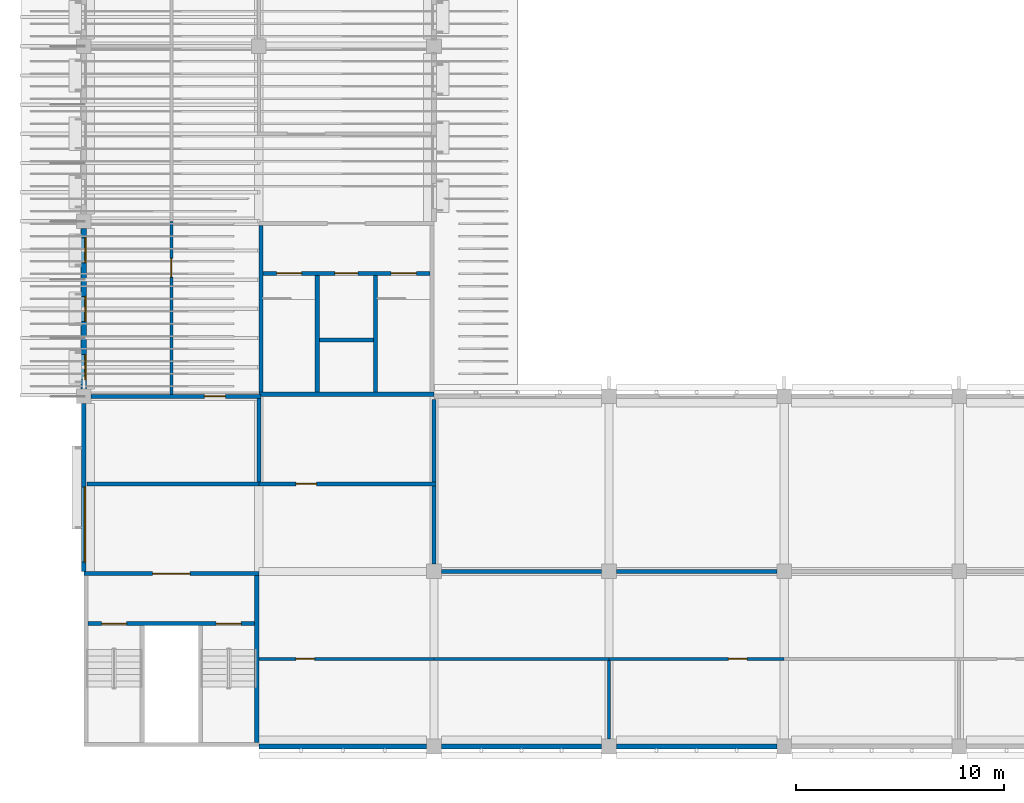
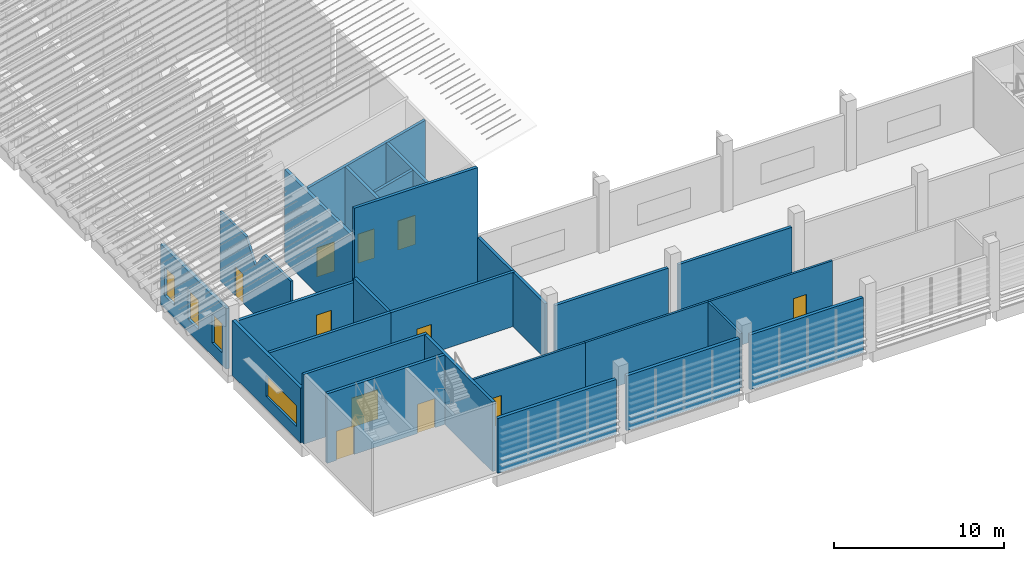
# One storey, part 17 of 82: 27 walls, 11 doors, 4 windows, 15 openings.
"""IFC4 building model written with IfcOpenShell, lengths in metres."""

import ifcopenshell
import ifcopenshell.guid

model = None  # the IFC model being written
_history = None  # IfcOwnerHistory: only IFC2X3 demands one
_inside = {}  # id of a spatial element -> (the spatial element, [elements in it])
_under = {}  # id of a project, library or spatial element -> (it, [spatial elements below it])
_declared = {}  # id of a project -> (the project, [libraries it declares])
_typed = {}  # id of a type object -> (the type object, [elements of that type])
_made_of = {}  # id of a material, layer set ... -> (it, [elements and type objects made of it])


def new_model(schema):
    """Start an empty IFC model of exactly this schema.

    Asked for "IFC4X3", IfcOpenShell would pick the latest addendum, in which some entities
    have other attributes; the version numbers below select the first issue.
    IFC2X3 requires an IfcOwnerHistory on every rooted entity: one is made here for all.
    """
    global model, _history
    if schema == "IFC4X3":
        model = ifcopenshell.file(schema_version=(4, 3, 0, 0))
    else:
        model = ifcopenshell.file(schema=schema)
    _inside.clear()
    _under.clear()
    _declared.clear()
    _typed.clear()
    _made_of.clear()
    _history = None
    if model.schema == "IFC2X3":
        org = make("IfcOrganization", Name="unknown")
        user = make(
            "IfcPersonAndOrganization",
            ThePerson=make("IfcPerson", FamilyName="unknown"),
            TheOrganization=org,
        )
        app = make(
            "IfcApplication",
            ApplicationDeveloper=org,
            Version="unknown",
            ApplicationFullName="unknown",
            ApplicationIdentifier="unknown",
        )
        _history = make(
            "IfcOwnerHistory",
            OwningUser=user,
            OwningApplication=app,
            ChangeAction="ADDED",
            CreationDate=0,
        )
    return model


def make(cls, **values):
    """One entity of the class cls with the attributes given. An attribute that is None is left unset."""
    return model.create_entity(
        cls, **{name: value for name, value in values.items() if value is not None}
    )


def rooted(cls, **values):
    """An entity with a GlobalId (a new one), such as an element, a storey or a relation."""
    return make(cls, GlobalId=ifcopenshell.guid.new(), OwnerHistory=_history, **values)


def si_unit(unit_type, name, prefix=None):
    """IfcSIUnit, for example si_unit("LENGTHUNIT", "METRE", prefix="MILLI")."""
    return make("IfcSIUnit", UnitType=unit_type, Prefix=prefix, Name=name)


def assignment(units):
    """IfcUnitAssignment: the units of a project."""
    return None if units is None else make("IfcUnitAssignment", Units=units)


def point(xyz):
    """IfcCartesianPoint."""
    return None if xyz is None else make("IfcCartesianPoint", Coordinates=xyz)


def direction(xyz):
    """IfcDirection."""
    return None if xyz is None else make("IfcDirection", DirectionRatios=xyz)


def frame(location, z_axis=None, x_axis=None):
    """IfcAxis2Placement3D, a coordinate frame: its origin and axes. An axis left out is left unset."""
    return make(
        "IfcAxis2Placement3D",
        Location=point(location),
        Axis=direction(z_axis),
        RefDirection=direction(x_axis),
    )


def frame_2d(location, x_axis=None):
    """IfcAxis2Placement2D, a coordinate frame in the plane: its origin and x axis."""
    return make(
        "IfcAxis2Placement2D", Location=point(location), RefDirection=direction(x_axis)
    )


def origin():
    """The frame at (0, 0, 0) with its axes left unset."""
    return frame((0.0, 0.0, 0.0))


def place(relative_to, where):
    """IfcLocalPlacement: puts the frame where relative to a parent placement (None: the world)."""
    return make(
        "IfcLocalPlacement", PlacementRelTo=relative_to, RelativePlacement=where
    )


def context(
    kind, dimensions, precision=None, world=None, true_north=None, identifier=None
):
    """IfcGeometricRepresentationContext, for example the 3D "Model" context."""
    return make(
        "IfcGeometricRepresentationContext",
        ContextIdentifier=identifier,
        ContextType=kind,
        CoordinateSpaceDimension=dimensions,
        Precision=precision,
        WorldCoordinateSystem=world,
        TrueNorth=true_north,
    )


def subcontext(parent, identifier, kind, view, scale=None):
    """IfcGeometricRepresentationSubContext, for example "Body" below "Model"."""
    return make(
        "IfcGeometricRepresentationSubContext",
        ContextIdentifier=identifier,
        ContextType=kind,
        ParentContext=parent,
        TargetScale=scale,
        TargetView=view,
    )


def project(units=None, contexts=None):
    """IfcProject with its units and contexts."""
    return rooted(
        "IfcProject",
        Name="project",
        RepresentationContexts=contexts,
        UnitsInContext=assignment(units),
    )


def spatial(cls, under=None, at=None, **own):
    """A site, building, storey or space (cls), placed at a placement, below another one or the project."""
    s = rooted(cls, ObjectPlacement=at, **own)
    if under is not None:
        _under.setdefault(under.id(), (under, []))[1].append(s)
    return s


def polyline(points):
    """IfcPolyline through the points."""
    return make("IfcPolyline", Points=[point(p) for p in points])


def profile(cls, at=None, kind="AREA", **sizes):
    """A parametric profile (cls). Its sizes go by their IFC names, for example OverallWidth=200.0."""
    return make(cls, ProfileType=kind, Position=at, **sizes)


def rectangle(**sizes):
    """IfcRectangleProfileDef."""
    return profile("IfcRectangleProfileDef", **sizes)


def outline(outer, holes=None, kind="AREA"):
    """IfcArbitraryClosedProfileDef: a profile drawn as a closed curve; with holes, ...WithVoids."""
    if holes is None:
        return make("IfcArbitraryClosedProfileDef", ProfileType=kind, OuterCurve=outer)
    return make(
        "IfcArbitraryProfileDefWithVoids",
        ProfileType=kind,
        OuterCurve=outer,
        InnerCurves=holes,
    )


def extrude(swept, where, along, depth):
    """IfcExtrudedAreaSolid: the profile swept, set in the frame where, extruded along a direction by depth."""
    return make(
        "IfcExtrudedAreaSolid",
        SweptArea=swept,
        Position=where,
        ExtrudedDirection=direction(along),
        Depth=depth,
    )


def shape(context_of_items, identifier, shape_type, items):
    """IfcShapeRepresentation: the items that make up one representation, for example the "Body"."""
    return make(
        "IfcShapeRepresentation",
        ContextOfItems=context_of_items,
        RepresentationIdentifier=identifier,
        RepresentationType=shape_type,
        Items=items,
    )


def material(Name=None, Category=None):
    """IfcMaterial."""
    return make("IfcMaterial", Name=Name, Category=Category)


def layer(
    of_material, thickness, ventilated=None, Name=None, Category=None, Priority=None
):
    """IfcMaterialLayer: one layer of a wall or slab, of a material (None: an air gap)."""
    return make(
        "IfcMaterialLayer",
        Material=of_material,
        LayerThickness=thickness,
        IsVentilated=ventilated,
        Name=Name,
        Category=Category,
        Priority=Priority,
    )


def layer_set(layers, Name=None):
    """IfcMaterialLayerSet."""
    return make("IfcMaterialLayerSet", MaterialLayers=layers, LayerSetName=Name)


def made_of(thing, what):
    """Note that an element or type object is made of a material, layer set ...; save() writes the relation."""
    if what is not None:
        _made_of.setdefault(what.id(), (what, []))[1].append(thing)
    return thing


def type_object(cls, material=None, **own):
    """A type object (cls), such as IfcWallType, which elements share."""
    return made_of(rooted(cls, **own), material)


def element(
    cls,
    number,
    at=None,
    inside=None,
    cuts=None,
    type_object=None,
    material=None,
    context=None,
    identifier="Body",
    shape_type=None,
    held_by="IfcProductDefinitionShape",
    body=None,
    shapes=None,
    **own,
):
    """One element of the class cls, such as IfcWall. Its Tag is "e" and its number.

    at: its placement. inside: the storey or other place that contains it. cuts: it is an
    opening in that element (IfcRelVoidsElement). A single representation is given by context,
    identifier, shape_type and body (its items); several are given by shapes. held_by: the class
    of the entity that holds the representations. save() writes the other relations.
    """
    e = rooted(cls, Tag="e%d" % number, ObjectPlacement=at, **own)
    if body is not None:
        shapes = [shape(context, identifier, shape_type, body)]
    if shapes is not None:
        e.Representation = make(held_by, Representations=shapes)
    if inside is not None:
        _inside.setdefault(inside.id(), (inside, []))[1].append(e)
    if cuts is not None:
        rooted(
            "IfcRelVoidsElement", RelatingBuildingElement=cuts, RelatedOpeningElement=e
        )
    if type_object is not None:
        _typed.setdefault(type_object.id(), (type_object, []))[1].append(e)
    return made_of(e, material)


def fill(opening, filler):
    """IfcRelFillsElement: the door or window that sits in an opening."""
    return rooted(
        "IfcRelFillsElement",
        RelatingOpeningElement=opening,
        RelatedBuildingElement=filler,
    )


def aggregate(whole, parts):
    """IfcRelAggregates: a whole, such as a stair, and the parts it consists of."""
    return rooted("IfcRelAggregates", RelatingObject=whole, RelatedObjects=parts)


def save(model, path):
    """Write the relations noted so far, then the file.

    IfcRelAggregates (storeys below a building ...), IfcRelContainedInSpatialStructure (elements
    in a storey), IfcRelDefinesByType, IfcRelAssociatesMaterial and IfcRelDeclares: one each for
    every whole, place, type object, material and project.
    """
    for whole, parts in _under.values():
        aggregate(whole, parts)
    for where, things in _inside.values():
        rooted(
            "IfcRelContainedInSpatialStructure",
            RelatedElements=things,
            RelatingStructure=where,
        )
    for kind, things in _typed.values():
        rooted("IfcRelDefinesByType", RelatedObjects=things, RelatingType=kind)
    for what, things in _made_of.values():
        rooted("IfcRelAssociatesMaterial", RelatedObjects=things, RelatingMaterial=what)
    for by, libraries in _declared.values():
        rooted("IfcRelDeclares", RelatingContext=by, RelatedDefinitions=libraries)
    model.write(path)


model = new_model("IFC4")

# Units and contexts
model_context = context("Model", 3, precision=1e-05, world=origin(), true_north=direction((0.0, 1.0)))
body_context = subcontext(model_context, "Body", "Model", "MODEL_VIEW")
ifc_project = project(units=[si_unit("LENGTHUNIT", "METRE"), si_unit("AREAUNIT", "SQUARE_METRE"), si_unit("VOLUMEUNIT", "CUBIC_METRE"), si_unit("PLANEANGLEUNIT", "RADIAN"), si_unit("MASSUNIT", "GRAM", prefix="KILO")], contexts=[model_context])

# Site, building, storey
site_placement = place(None, origin())
site = spatial("IfcSite", under=ifc_project, at=site_placement, CompositionType="ELEMENT")
building_placement = place(site_placement, origin())
building = spatial("IfcBuilding", under=site, at=building_placement, Name="Almond Square Museum", CompositionType="ELEMENT")
storey_placement = place(building_placement, frame((0.0, 0.0, 20.0)))
storey = spatial("IfcBuildingStorey", under=building, at=storey_placement, Name="L03", CompositionType="ELEMENT", Elevation=20.0)

# Wall, opening, door
ifc_material_1 = material(Name="Concrete blockwork 200", Category="masonry")
ifc_layer_1 = layer(ifc_material_1, 0.199951171875)
ifc_layer_set_1 = layer_set([ifc_layer_1], Name="Concrete blockwork 200")
wall_type_1 = type_object("IfcWallType", Name="Fire partition 200 blockwork", PredefinedType="PARTITIONING", material=ifc_layer_set_1)
wall_1_placement = place(storey_placement, frame((6.35009765625, 16.800048828125, 0.0), z_axis=(0.0, 0.0, 1.0), x_axis=(1.0, 0.0, 0.0)))
wall_1 = element("IfcWall", 1, at=wall_1_placement, inside=storey, type_object=wall_type_1, Name="L03 partition 46", PredefinedType="PARTITIONING", context=body_context, shape_type="SweptSolid", body=[
    extrude(rectangle(XDim=8.14990234375, YDim=0.199951171875, at=frame_2d((4.074951171875, 0.0))), origin(), (0.0, 0.0, 1.0), 3.56201171875),
])
opening_1_placement = place(wall_1_placement, frame((5.4375, 0.0, 0.0)))
opening_1 = element("IfcOpeningElement", 2, at=opening_1_placement, cuts=wall_1, Name="Opening D3118", PredefinedType="OPENING", context=body_context, shape_type="SweptSolid", body=[
    extrude(rectangle(XDim=1.0, YDim=2.10009765625, at=frame_2d((0.5, 1.050048828125))), frame((0.0, 0.10986328125, 0.0), z_axis=(0.0, -1.0, 0.0), x_axis=(1.0, 0.0, 0.0)), (0.0, 0.0, 1.0), 0.219970703125),
])
ifc_material_2 = material(Name="Steel", Category="steel")
door_type_1 = type_object("IfcDoorType", Name="Fire door 1000 x 2100 FD60 single", OperationType="NOTDEFINED", PredefinedType="DOOR", material=ifc_material_2)
door_1_placement = place(opening_1_placement, origin())
door_1 = element("IfcDoor", 3, at=door_1_placement, inside=storey, type_object=door_type_1, Name="L03 door Cleaners' Store 3 to Wing Corridor", OperationType="SINGLE_SWING_LEFT", OverallHeight=2.10009765625, OverallWidth=1.0, PredefinedType="DOOR", context=body_context, shape_type="SweptSolid", body=[
    extrude(rectangle(XDim=1.0, YDim=2.10009765625, at=frame_2d((0.5, 1.050048828125))), frame((0.0, 0.02490234375, 0.0), z_axis=(0.0, -1.0, 0.0), x_axis=(1.0, 0.0, 0.0)), (0.0, 0.0, 1.0), 0.050048828125),
])
fill(opening_1, door_1)

# Walls
wall_2_placement = place(storey_placement, frame((14.39990234375, 12.699951171875, 0.0), z_axis=(0.0, 0.0, 1.0), x_axis=(0.0, 1.0, 0.0)))
element("IfcWall", 4, at=wall_2_placement, inside=storey, type_object=wall_type_1, Name="L03 partition 52", PredefinedType="PARTITIONING", context=body_context, shape_type="SweptSolid", body=[
    extrude(rectangle(XDim=4.0, YDim=0.199951171875, at=frame_2d((2.0, 0.0))), origin(), (0.0, 0.0, 1.0), 3.89990234375),
])
wall_3_placement = place(storey_placement, frame((22.800048828125, 12.699951171875, 0.0), z_axis=(0.0, 0.0, 1.0), x_axis=(0.0, 1.0, 0.0)))
element("IfcWall", 5, at=wall_3_placement, inside=storey, type_object=wall_type_1, Name="L03 partition 53", PredefinedType="PARTITIONING", context=body_context, shape_type="SweptSolid", body=[
    extrude(rectangle(XDim=3.949951171875, YDim=0.199951171875, at=frame_2d((1.97509765625, 0.0))), origin(), (0.0, 0.0, 1.0), 3.89990234375),
])
wall_4_placement = place(storey_placement, frame((6.14990234375, 12.60009765625, 0.0), z_axis=(0.0, 0.0, 1.0), x_axis=(1.0, 0.0, 0.0)))
element("IfcWall", 6, at=wall_4_placement, inside=storey, type_object=wall_type_1, Name="L03 partition 59", PredefinedType="PARTITIONING", context=body_context, shape_type="SweptSolid", body=[
    extrude(rectangle(XDim=8.25, YDim=0.199951171875, at=frame_2d((4.125, 0.0))), origin(), (0.0, 0.0, 1.0), 3.89990234375),
])

# Wall, opening, door
wall_5_placement = place(storey_placement, frame((14.39990234375, 12.60009765625, 0.0), z_axis=(0.0, 0.0, 1.0), x_axis=(1.0, 0.0, 0.0)))
wall_5 = element("IfcWall", 7, at=wall_5_placement, inside=storey, type_object=wall_type_1, Name="L03 partition 60", PredefinedType="PARTITIONING", context=body_context, shape_type="SweptSolid", body=[
    extrude(rectangle(XDim=8.5, YDim=0.199951171875, at=frame_2d((4.25, 0.0))), origin(), (0.0, 0.0, 1.0), 3.89990234375),
])
opening_2_placement = place(wall_5_placement, frame((1.77490234375, 0.0, 0.0)))
opening_2 = element("IfcOpeningElement", 8, at=opening_2_placement, cuts=wall_5, Name="Opening D3116", PredefinedType="OPENING", context=body_context, shape_type="SweptSolid", body=[
    extrude(rectangle(XDim=1.0, YDim=2.10009765625, at=frame_2d((0.5, 1.050048828125))), frame((0.0, 0.10986328125, 0.0), z_axis=(0.0, -1.0, 0.0), x_axis=(1.0, 0.0, 0.0)), (0.0, 0.0, 1.0), 0.219970703125),
])
door_2_placement = place(opening_2_placement, origin())
door_2 = element("IfcDoor", 9, at=door_2_placement, inside=storey, type_object=door_type_1, Name="L03 door Comms Room to Service Corridor 2", OperationType="SINGLE_SWING_LEFT", OverallHeight=2.10009765625, OverallWidth=1.0, PredefinedType="DOOR", context=body_context, shape_type="SweptSolid", body=[
    extrude(rectangle(XDim=1.0, YDim=2.10009765625, at=frame_2d((0.5, 1.050048828125))), frame((0.0, 0.02490234375, 0.0), z_axis=(0.0, -1.0, 0.0), x_axis=(1.0, 0.0, 0.0)), (0.0, 0.0, 1.0), 0.050048828125),
])
fill(opening_2, door_2)

# Walls
wall_6_placement = place(storey_placement, frame((23.14990234375, 8.39990234375, 0.0), z_axis=(0.0, 0.0, 1.0), x_axis=(1.0, 0.0, 0.0)))
element("IfcWall", 10, at=wall_6_placement, inside=storey, type_object=wall_type_1, Name="L03 partition 61", PredefinedType="PARTITIONING", context=body_context, shape_type="SweptSolid", body=[
    extrude(rectangle(XDim=7.7001953125, YDim=0.199951171875, at=frame_2d((3.85009765625, 0.0))), origin(), (0.0, 0.0, 1.0), 3.89990234375),
])
wall_7_placement = place(storey_placement, frame((31.550048828125, 8.39990234375, 0.0), z_axis=(0.0, 0.0, 1.0), x_axis=(1.0, 0.0, 0.0)))
element("IfcWall", 11, at=wall_7_placement, inside=storey, type_object=wall_type_1, Name="L03 partition 62", PredefinedType="PARTITIONING", context=body_context, shape_type="SweptSolid", body=[
    extrude(rectangle(XDim=7.699951171875, YDim=0.199951171875, at=frame_2d((3.85009765625, 0.0))), origin(), (0.0, 0.0, 1.0), 3.89990234375),
])
wall_8_placement = place(storey_placement, frame((22.800048828125, 8.75, 0.0), z_axis=(0.0, 0.0, 1.0), x_axis=(0.0, 1.0, 0.0)))
element("IfcWall", 12, at=wall_8_placement, inside=storey, type_object=wall_type_1, Name="L03 partition 65", PredefinedType="PARTITIONING", context=body_context, shape_type="SweptSolid", body=[
    extrude(rectangle(XDim=3.75, YDim=0.199951171875, at=frame_2d((1.875, 0.0))), origin(), (0.0, 0.0, 1.0), 3.89990234375),
])

# Wall, opening, door
ifc_material_3 = material(Name="Plasterboard on steel stud", Category="steel")
ifc_layer_2 = layer(ifc_material_3, 0.14990234375)
ifc_layer_set_2 = layer_set([ifc_layer_2], Name="Plasterboard on steel stud")
wall_type_2 = type_object("IfcWallType", Name="Partition 150 plasterboard on steel stud", PredefinedType="PARTITIONING", material=ifc_layer_set_2)
wall_9_placement = place(storey_placement, frame((10.199951171875, 16.89990234375, 0.0), z_axis=(0.0, 0.0, 1.0), x_axis=(0.0, 1.0, 0.0)))
wall_9 = element("IfcWall", 13, at=wall_9_placement, inside=storey, type_object=wall_type_2, Name="L03 partition 41", PredefinedType="PARTITIONING", context=body_context, shape_type="SweptSolid", body=[
    extrude(outline(polyline([(0.0, 0.0), (8.300048828125, 0.0), (8.300048828125, 5.0), (5.25, 5.0), (4.199951171875, 3.56201171875), (3.14990234375, 5.0), (0.0, 5.0), (0.0, 0.0)])), frame((0.0, 0.074951171875, 0.0), z_axis=(0.0, -1.0, 0.0), x_axis=(1.0, 0.0, 0.0)), (0.0, 0.0, 1.0), 0.14990234375),
])
opening_3_placement = place(wall_9_placement, frame((5.625, 0.0, 0.0)))
opening_3 = element("IfcOpeningElement", 14, at=opening_3_placement, cuts=wall_9, Name="Opening D3114", PredefinedType="OPENING", context=body_context, shape_type="SweptSolid", body=[
    extrude(rectangle(XDim=0.89990234375, YDim=2.10009765625, at=frame_2d((0.449951171875, 1.050048828125))), frame((0.0, 0.0849609375, 0.0), z_axis=(0.0, -1.0, 0.0), x_axis=(1.0, 0.0, 0.0)), (0.0, 0.0, 1.0), 0.169921875),
])
ifc_material_4 = material(Name="Timber", Category="wood")
door_type_2 = type_object("IfcDoorType", Name="Door 900 x 2100 timber single", OperationType="NOTDEFINED", PredefinedType="DOOR", material=ifc_material_4)
door_3_placement = place(opening_3_placement, origin())
door_3 = element("IfcDoor", 15, at=door_3_placement, inside=storey, type_object=door_type_2, Name="L03 door Curatorial Office 1 to Wing Corridor", OperationType="SINGLE_SWING_LEFT", OverallHeight=2.10009765625, OverallWidth=0.89990234375, PredefinedType="DOOR", context=body_context, shape_type="SweptSolid", body=[
    extrude(rectangle(XDim=0.89990234375, YDim=2.10009765625, at=frame_2d((0.449951171875, 1.050048828125))), frame((0.0, 0.02490234375, 0.0), z_axis=(0.0, -1.0, 0.0), x_axis=(1.0, 0.0, 0.0)), (0.0, 0.0, 1.0), 0.050048828125),
])
fill(opening_3, door_3)

wall_10_placement = place(storey_placement, frame((14.39990234375, 4.199951171875, 0.0), z_axis=(0.0, 0.0, 1.0), x_axis=(1.0, 0.0, 0.0)))
wall_10 = element("IfcWall", 16, at=wall_10_placement, inside=storey, type_object=wall_type_2, Name="L03 partition 80", PredefinedType="PARTITIONING", context=body_context, shape_type="SweptSolid", body=[
    extrude(rectangle(XDim=8.400146484375, YDim=0.14990234375, at=frame_2d((4.2001953125, 0.0))), origin(), (0.0, 0.0, 1.0), 3.89990234375),
])
opening_4_placement = place(wall_10_placement, frame((1.77490234375, 0.0, 0.0)))
opening_4 = element("IfcOpeningElement", 17, at=opening_4_placement, cuts=wall_10, Name="Opening D3121", PredefinedType="OPENING", context=body_context, shape_type="SweptSolid", body=[
    extrude(rectangle(XDim=0.89990234375, YDim=2.10009765625, at=frame_2d((0.449951171875, 1.050048828125))), frame((0.0, 0.0849609375, 0.0), z_axis=(0.0, -1.0, 0.0), x_axis=(1.0, 0.0, 0.0)), (0.0, 0.0, 1.0), 0.169921875),
])
door_4_placement = place(opening_4_placement, origin())
door_4 = element("IfcDoor", 18, at=door_4_placement, inside=storey, type_object=door_type_2, Name="L03 door Curatorial Office 2 to Service Corridor 2", OperationType="SINGLE_SWING_LEFT", OverallHeight=2.10009765625, OverallWidth=0.89990234375, PredefinedType="DOOR", context=body_context, shape_type="SweptSolid", body=[
    extrude(rectangle(XDim=0.89990234375, YDim=2.10009765625, at=frame_2d((0.449951171875, 1.050048828125))), frame((0.0, 0.02490234375, 0.0), z_axis=(0.0, -1.0, 0.0), x_axis=(1.0, 0.0, 0.0)), (0.0, 0.0, 1.0), 0.050048828125),
])
fill(opening_4, door_4)

# Wall
wall_11_placement = place(storey_placement, frame((22.800048828125, 4.199951171875, 0.0), z_axis=(0.0, 0.0, 1.0), x_axis=(1.0, 0.0, 0.0)))
element("IfcWall", 19, at=wall_11_placement, inside=storey, type_object=wall_type_2, Name="L03 partition 81", PredefinedType="PARTITIONING", context=body_context, shape_type="SweptSolid", body=[
    extrude(rectangle(XDim=8.39990234375, YDim=0.14990234375, at=frame_2d((4.199951171875, 0.0))), origin(), (0.0, 0.0, 1.0), 3.89990234375),
])

# Wall, opening, door
wall_12_placement = place(storey_placement, frame((31.199951171875, 4.199951171875, 0.0), z_axis=(0.0, 0.0, 1.0), x_axis=(1.0, 0.0, 0.0)))
wall_12 = element("IfcWall", 20, at=wall_12_placement, inside=storey, type_object=wall_type_2, Name="L03 partition 82", PredefinedType="PARTITIONING", context=body_context, shape_type="SweptSolid", body=[
    extrude(rectangle(XDim=8.400146484375, YDim=0.14990234375, at=frame_2d((4.2001953125, 0.0))), origin(), (0.0, 0.0, 1.0), 3.89990234375),
])
opening_5_placement = place(wall_12_placement, frame((5.72509765625, 0.0, 0.0)))
opening_5 = element("IfcOpeningElement", 21, at=opening_5_placement, cuts=wall_12, Name="Opening D3122", PredefinedType="OPENING", context=body_context, shape_type="SweptSolid", body=[
    extrude(rectangle(XDim=0.89990234375, YDim=2.10009765625, at=frame_2d((0.449951171875, 1.050048828125))), frame((0.0, 0.0849609375, 0.0), z_axis=(0.0, -1.0, 0.0), x_axis=(1.0, 0.0, 0.0)), (0.0, 0.0, 1.0), 0.169921875),
])
door_5_placement = place(opening_5_placement, origin())
door_5 = element("IfcDoor", 22, at=door_5_placement, inside=storey, type_object=door_type_2, Name="L03 door Registrar Office 2 to Service Corridor 2", OperationType="SINGLE_SWING_RIGHT", OverallHeight=2.10009765625, OverallWidth=0.89990234375, PredefinedType="DOOR", context=body_context, shape_type="SweptSolid", body=[
    extrude(rectangle(XDim=0.89990234375, YDim=2.10009765625, at=frame_2d((0.449951171875, 1.050048828125))), frame((0.0, 0.02490234375, 0.0), z_axis=(0.0, -1.0, 0.0), x_axis=(1.0, 0.0, 0.0)), (0.0, 0.0, 1.0), 0.050048828125),
])
fill(opening_5, door_5)

# Wall
wall_13_placement = place(storey_placement, frame((31.199951171875, 0.35009765625, 0.0), z_axis=(0.0, 0.0, 1.0), x_axis=(0.0, 1.0, 0.0)))
element("IfcWall", 23, at=wall_13_placement, inside=storey, type_object=wall_type_2, Name="L03 partition 89", PredefinedType="PARTITIONING", context=body_context, shape_type="SweptSolid", body=[
    extrude(rectangle(XDim=3.77490234375, YDim=0.14990234375, at=frame_2d((1.887451171875, 0.0))), origin(), (0.0, 0.0, 1.0), 3.89990234375),
])

# Wall, openings, windows
ifc_material_5 = material(Name="Precast concrete C40/50", Category="concrete")
ifc_layer_3 = layer(ifc_material_5, 0.25)
ifc_layer_set_3 = layer_set([ifc_layer_3], Name="Precast concrete C40/50")
wall_type_3 = type_object("IfcWallType", Name="Precast concrete panel wall 250 with coral limestone piers", PredefinedType="SOLIDWALL", material=ifc_layer_set_3)
wall_14_placement = place(storey_placement, frame((6.0, 17.14990234375, 0.0), z_axis=(0.0, 0.0, 1.0), x_axis=(0.0, 1.0, 0.0)))
wall_14 = element("IfcWall", 24, at=wall_14_placement, inside=storey, type_object=wall_type_3, Name="External wall W2 V4W L03 W07", PredefinedType="SOLIDWALL", context=body_context, shape_type="SweptSolid", body=[
    extrude(rectangle(XDim=7.7001953125, YDim=0.25, at=frame_2d((3.85009765625, 0.0))), origin(), (0.0, 0.0, 1.0), 4.345703125),
])
opening_6_placement = place(wall_14_placement, frame((0.449951171875, 0.0, 0.89990234375)))
opening_6 = element("IfcOpeningElement", 25, at=opening_6_placement, cuts=wall_14, Name="Opening W3053", PredefinedType="OPENING", context=body_context, shape_type="SweptSolid", body=[
    extrude(rectangle(XDim=1.199951171875, YDim=2.10009765625, at=frame_2d((0.60009765625, 1.050048828125))), frame((0.0, 0.135009765625, 0.0), z_axis=(0.0, -1.0, 0.0), x_axis=(1.0, 0.0, 0.0)), (0.0, 0.0, 1.0), 0.27001953125),
])
opening_7_placement = place(wall_14_placement, frame((3.25, 0.0, 0.89990234375)))
opening_7 = element("IfcOpeningElement", 26, at=opening_7_placement, cuts=wall_14, Name="Opening W3054", PredefinedType="OPENING", context=body_context, shape_type="SweptSolid", body=[
    extrude(rectangle(XDim=1.199951171875, YDim=2.10009765625, at=frame_2d((0.60009765625, 1.050048828125))), frame((0.0, 0.135009765625, 0.0), z_axis=(0.0, -1.0, 0.0), x_axis=(1.0, 0.0, 0.0)), (0.0, 0.0, 1.0), 0.27001953125),
])
opening_8_placement = place(wall_14_placement, frame((6.050048828125, 0.0, 0.89990234375)))
opening_8 = element("IfcOpeningElement", 27, at=opening_8_placement, cuts=wall_14, Name="Opening W3055", PredefinedType="OPENING", context=body_context, shape_type="SweptSolid", body=[
    extrude(rectangle(XDim=1.199951171875, YDim=2.10009765625, at=frame_2d((0.60009765625, 1.050048828125))), frame((0.0, 0.135009765625, 0.0), z_axis=(0.0, -1.0, 0.0), x_axis=(1.0, 0.0, 0.0)), (0.0, 0.0, 1.0), 0.27001953125),
])
ifc_material_6 = material(Name="Anodised aluminium louvre and laminated glass", Category="aluminium")
window_type_1 = type_object("IfcWindowType", Name="Louvred pier window", PartitioningType="SINGLE_PANEL", PredefinedType="WINDOW", material=ifc_material_6)
window_1_placement = place(opening_6_placement, origin())
window_1 = element("IfcWindow", 28, at=window_1_placement, inside=storey, type_object=window_type_1, Name="Louvred pier window W3053", OverallHeight=2.10009765625, OverallWidth=1.199951171875, PartitioningType="SINGLE_PANEL", PredefinedType="WINDOW", context=body_context, shape_type="SweptSolid", body=[
    extrude(rectangle(XDim=1.199951171875, YDim=2.10009765625, at=frame_2d((0.60009765625, 1.050048828125))), frame((0.0, -0.044921875, 0.0), z_axis=(0.0, -1.0, 0.0), x_axis=(1.0, 0.0, 0.0)), (0.0, 0.0, 1.0), 0.06005859375),
])
fill(opening_6, window_1)
window_2_placement = place(opening_7_placement, origin())
window_2 = element("IfcWindow", 29, at=window_2_placement, inside=storey, type_object=window_type_1, Name="Louvred pier window W3054", OverallHeight=2.10009765625, OverallWidth=1.199951171875, PartitioningType="SINGLE_PANEL", PredefinedType="WINDOW", context=body_context, shape_type="SweptSolid", body=[
    extrude(rectangle(XDim=1.199951171875, YDim=2.10009765625, at=frame_2d((0.60009765625, 1.050048828125))), frame((0.0, -0.044921875, 0.0), z_axis=(0.0, -1.0, 0.0), x_axis=(1.0, 0.0, 0.0)), (0.0, 0.0, 1.0), 0.06005859375),
])
fill(opening_7, window_2)
window_3_placement = place(opening_8_placement, origin())
window_3 = element("IfcWindow", 30, at=window_3_placement, inside=storey, type_object=window_type_1, Name="Louvred pier window W3055", OverallHeight=2.10009765625, OverallWidth=1.199951171875, PartitioningType="SINGLE_PANEL", PredefinedType="WINDOW", context=body_context, shape_type="SweptSolid", body=[
    extrude(rectangle(XDim=1.199951171875, YDim=2.10009765625, at=frame_2d((0.60009765625, 1.050048828125))), frame((0.0, -0.044921875, 0.0), z_axis=(0.0, -1.0, 0.0), x_axis=(1.0, 0.0, 0.0)), (0.0, 0.0, 1.0), 0.06005859375),
])
fill(opening_8, window_3)

# Walls
ifc_material_7 = material(Name="Concrete C40/50", Category="concrete")
ifc_layer_4 = layer(ifc_material_7, 0.199951171875)
ifc_layer_set_4 = layer_set([ifc_layer_4], Name="Concrete C40/50")
wall_type_4 = type_object("IfcWallType", Name="RC shear wall 200 C40/50", PredefinedType="SHEAR", material=ifc_layer_set_4)
wall_15_placement = place(storey_placement, frame((14.39990234375, 16.89990234375, 0.0), z_axis=(0.0, 0.0, 1.0), x_axis=(1.0, 0.0, 0.0)))
element("IfcWall", 31, at=wall_15_placement, inside=storey, type_object=wall_type_4, Name="Core W1 south wall L03", PredefinedType="SHEAR", context=body_context, shape_type="SweptSolid", body=[
    extrude(rectangle(XDim=8.400146484375, YDim=0.199951171875, at=frame_2d((4.2001953125, 0.0))), origin(), (0.0, 0.0, 1.0), 8.800048828125),
])
wall_16_placement = place(storey_placement, frame((14.5, 17.0, 0.0), z_axis=(0.0, 0.0, 1.0), x_axis=(0.0, 1.0, 0.0)))
element("IfcWall", 32, at=wall_16_placement, inside=storey, type_object=wall_type_4, Name="Core W1 west wall L03", PredefinedType="SHEAR", context=body_context, shape_type="SweptSolid", body=[
    extrude(rectangle(XDim=8.0, YDim=0.199951171875, at=frame_2d((4.0, 0.0))), origin(), (0.0, 0.0, 1.0), 6.625),
])

# Wall, openings, doors
wall_17_placement = place(storey_placement, frame((14.60009765625, 22.699951171875, 0.0), z_axis=(0.0, 0.0, 1.0), x_axis=(1.0, 0.0, 0.0)))
wall_17 = element("IfcWall", 33, at=wall_17_placement, inside=storey, type_object=wall_type_4, Name="Core W1 lobby wall L03", PredefinedType="SHEAR", context=body_context, shape_type="SweptSolid", body=[
    extrude(outline(polyline([(0.0, 0.0), (8.0, 0.0), (8.0, 8.748046875), (7.407470703125, 8.592041015625), (7.111083984375, 8.514892578125), (6.814697265625, 8.43701171875), (6.5185546875, 8.360107421875), (5.92578125, 8.2041015625), (5.629638671875, 8.126953125), (5.333251953125, 8.049072265625), (5.037109375, 7.971923828125), (4.4443359375, 7.81591796875), (4.148193359375, 7.739013671875), (3.851806640625, 7.660888671875), (3.5556640625, 7.583984375), (2.962890625, 7.427978515625), (2.666748046875, 7.35107421875), (2.370361328125, 7.27294921875), (2.07421875, 7.196044921875), (1.4814453125, 7.0400390625), (1.185302734375, 6.962890625), (0.888916015625, 6.885009765625), (0.592529296875, 6.80810546875), (0.0, 6.652099609375), (0.0, 0.0)])), frame((0.0, 0.10009765625, 0.0), z_axis=(0.0, -1.0, 0.0), x_axis=(1.0, 0.0, 0.0)), (0.0, 0.0, 1.0), 0.199951171875),
])
opening_9_placement = place(wall_17_placement, frame((0.64990234375, 0.0, 0.0)))
opening_9 = element("IfcOpeningElement", 34, at=opening_9_placement, cuts=wall_17, Name="Opening D3165", PredefinedType="OPENING", context=body_context, shape_type="SweptSolid", body=[
    extrude(rectangle(XDim=1.199951171875, YDim=2.10009765625, at=frame_2d((0.60009765625, 1.050048828125))), frame((0.0, 0.10986328125, 0.0), z_axis=(0.0, -1.0, 0.0), x_axis=(1.0, 0.0, 0.0)), (0.0, 0.0, 1.0), 0.219970703125),
])
opening_10_placement = place(wall_17_placement, frame((6.14990234375, 0.0, 0.0)))
opening_10 = element("IfcOpeningElement", 35, at=opening_10_placement, cuts=wall_17, Name="Opening D3166", PredefinedType="OPENING", context=body_context, shape_type="SweptSolid", body=[
    extrude(rectangle(XDim=1.199951171875, YDim=2.10009765625, at=frame_2d((0.60009765625, 1.050048828125))), frame((0.0, 0.10986328125, 0.0), z_axis=(0.0, -1.0, 0.0), x_axis=(1.0, 0.0, 0.0)), (0.0, 0.0, 1.0), 0.219970703125),
])
opening_11_placement = place(wall_17_placement, frame((3.449951171875, 0.0, 0.0)))
opening_11 = element("IfcOpeningElement", 36, at=opening_11_placement, cuts=wall_17, Name="Opening D3167", PredefinedType="OPENING", context=body_context, shape_type="SweptSolid", body=[
    extrude(rectangle(XDim=1.10009765625, YDim=2.10009765625, at=frame_2d((0.550048828125, 1.050048828125))), frame((0.0, 0.10986328125, 0.0), z_axis=(0.0, -1.0, 0.0), x_axis=(1.0, 0.0, 0.0)), (0.0, 0.0, 1.0), 0.219970703125),
])
ifc_material_8 = material(Name="Steel", Category="steel")
door_type_3 = type_object("IfcDoorType", Name="Fire door 1200 x 2100 FD120 stair", OperationType="NOTDEFINED", PredefinedType="DOOR", material=ifc_material_8)
door_6_placement = place(opening_9_placement, origin())
door_6 = element("IfcDoor", 37, at=door_6_placement, inside=storey, type_object=door_type_3, Name="L03 stair W1-1 door", OperationType="SINGLE_SWING_LEFT", OverallHeight=2.10009765625, OverallWidth=1.199951171875, PredefinedType="DOOR", context=body_context, shape_type="SweptSolid", body=[
    extrude(rectangle(XDim=1.199951171875, YDim=2.10009765625, at=frame_2d((0.60009765625, 1.050048828125))), frame((0.0, 0.02490234375, 0.0), z_axis=(0.0, -1.0, 0.0), x_axis=(1.0, 0.0, 0.0)), (0.0, 0.0, 1.0), 0.050048828125),
])
fill(opening_9, door_6)
door_7_placement = place(opening_10_placement, origin())
door_7 = element("IfcDoor", 38, at=door_7_placement, inside=storey, type_object=door_type_3, Name="L03 stair W1-2 door", OperationType="SINGLE_SWING_RIGHT", OverallHeight=2.10009765625, OverallWidth=1.199951171875, PredefinedType="DOOR", context=body_context, shape_type="SweptSolid", body=[
    extrude(rectangle(XDim=1.199951171875, YDim=2.10009765625, at=frame_2d((0.60009765625, 1.050048828125))), frame((0.0, 0.02490234375, 0.0), z_axis=(0.0, -1.0, 0.0), x_axis=(1.0, 0.0, 0.0)), (0.0, 0.0, 1.0), 0.050048828125),
])
fill(opening_10, door_7)
ifc_material_9 = material(Name="Stainless steel", Category="steel")
door_type_4 = type_object("IfcDoorType", Name="Lift landing door 1100 x 2100", OperationType="NOTDEFINED", PredefinedType="DOOR", material=ifc_material_9)
door_8_placement = place(opening_11_placement, origin())
door_8 = element("IfcDoor", 39, at=door_8_placement, inside=storey, type_object=door_type_4, Name="L03 lift PL-W1 landing door", OperationType="DOUBLE_DOOR_SLIDING", OverallHeight=2.10009765625, OverallWidth=1.10009765625, PredefinedType="DOOR", context=body_context, shape_type="SweptSolid", body=[
    extrude(rectangle(XDim=1.10009765625, YDim=2.10009765625, at=frame_2d((0.550048828125, 1.050048828125))), frame((0.0, 0.02490234375, 0.0), z_axis=(0.0, -1.0, 0.0), x_axis=(1.0, 0.0, 0.0)), (0.0, 0.0, 1.0), 0.050048828125),
])
fill(opening_11, door_8)

# Walls
wall_18_placement = place(storey_placement, frame((17.199951171875, 17.0, 0.0), z_axis=(0.0, 0.0, 1.0), x_axis=(0.0, 1.0, 0.0)))
element("IfcWall", 40, at=wall_18_placement, inside=storey, type_object=wall_type_4, Name="Core W1 partition wall L03", PredefinedType="SHEAR", context=body_context, shape_type="SweptSolid", body=[
    extrude(rectangle(XDim=5.60009765625, YDim=0.199951171875, at=frame_2d((2.800048828125, 0.0))), origin(), (0.0, 0.0, 1.0), 7.33251953125),
])
wall_19_placement = place(storey_placement, frame((20.0, 17.0, 0.0), z_axis=(0.0, 0.0, 1.0), x_axis=(0.0, 1.0, 0.0)))
element("IfcWall", 41, at=wall_19_placement, inside=storey, type_object=wall_type_4, Name="Core W1 partition wall L03", PredefinedType="SHEAR", context=body_context, shape_type="SweptSolid", body=[
    extrude(rectangle(XDim=5.60009765625, YDim=0.199951171875, at=frame_2d((2.800048828125, 0.0))), origin(), (0.0, 0.0, 1.0), 8.0673828125),
])
wall_20_placement = place(storey_placement, frame((17.300048828125, 19.5, 0.0), z_axis=(0.0, 0.0, 1.0), x_axis=(1.0, 0.0, 0.0)))
element("IfcWall", 42, at=wall_20_placement, inside=storey, type_object=wall_type_4, Name="Core W1 partition wall L03", PredefinedType="SHEAR", context=body_context, shape_type="SweptSolid", body=[
    extrude(outline(polyline([(0.0, 0.0), (2.599853515625, 0.0), (2.60009765625, 8.0400390625), (2.31103515625, 7.965087890625), (1.7333984375, 7.81298828125), (1.4443359375, 7.738037109375), (1.155517578125, 7.662109375), (0.86669921875, 7.5869140625), (0.288818359375, 7.43505859375), (0.0, 7.360107421875), (0.0, 0.0)])), frame((0.0, 0.10009765625, 0.0), z_axis=(0.0, -1.0, 0.0), x_axis=(1.0, 0.0, 0.0)), (0.0, 0.0, 1.0), 0.199951171875),
])

# Wall, opening, door
wall_21_placement = place(storey_placement, frame((6.0, 8.300048828125, 0.0), z_axis=(0.0, 0.0, 1.0), x_axis=(1.0, 0.0, 0.0)))
wall_21 = element("IfcWall", 43, at=wall_21_placement, inside=storey, type_object=wall_type_4, Name="Core S1 north wall L03", PredefinedType="SHEAR", context=body_context, shape_type="SweptSolid", body=[
    extrude(rectangle(XDim=8.39990234375, YDim=0.199951171875, at=frame_2d((4.199951171875, 0.0))), origin(), (0.0, 0.0, 1.0), 5.0),
])
opening_12_placement = place(wall_21_placement, frame((3.300048828125, 0.0, 0.0)))
opening_12 = element("IfcOpeningElement", 44, at=opening_12_placement, cuts=wall_21, Name="Opening D3171", PredefinedType="OPENING", context=body_context, shape_type="SweptSolid", body=[
    extrude(rectangle(XDim=1.800048828125, YDim=2.10009765625, at=frame_2d((0.89990234375, 1.050048828125))), frame((0.0, 0.10986328125, 0.0), z_axis=(0.0, -1.0, 0.0), x_axis=(1.0, 0.0, 0.0)), (0.0, 0.0, 1.0), 0.219970703125),
])
ifc_material_10 = material(Name="Steel", Category="steel")
door_type_5 = type_object("IfcDoorType", Name="Fire door 1800 x 2100 FD60 double", OperationType="NOTDEFINED", PredefinedType="DOOR", material=ifc_material_10)
door_9_placement = place(opening_12_placement, origin())
door_9 = element("IfcDoor", 45, at=door_9_placement, inside=storey, type_object=door_type_5, Name="L03 stair core S1 lobby door", OperationType="DOUBLE_DOOR_SINGLE_SWING", OverallHeight=2.10009765625, OverallWidth=1.800048828125, PredefinedType="DOOR", context=body_context, shape_type="SweptSolid", body=[
    extrude(rectangle(XDim=1.800048828125, YDim=2.10009765625, at=frame_2d((0.89990234375, 1.050048828125))), frame((0.0, 0.02490234375, 0.0), z_axis=(0.0, -1.0, 0.0), x_axis=(1.0, 0.0, 0.0)), (0.0, 0.0, 1.0), 0.050048828125),
])
fill(opening_12, door_9)

# Wall
wall_22_placement = place(storey_placement, frame((14.300048828125, 0.199951171875, 0.0), z_axis=(0.0, 0.0, 1.0), x_axis=(0.0, 1.0, 0.0)))
element("IfcWall", 46, at=wall_22_placement, inside=storey, type_object=wall_type_4, Name="Core S1 east wall L03", PredefinedType="SHEAR", context=body_context, shape_type="SweptSolid", body=[
    extrude(rectangle(XDim=8.0, YDim=0.199951171875, at=frame_2d((4.0, 0.0))), origin(), (0.0, 0.0, 1.0), 5.0),
])

# Wall, openings, doors
wall_23_placement = place(storey_placement, frame((6.199951171875, 5.89990234375, 0.0), z_axis=(0.0, 0.0, 1.0), x_axis=(1.0, 0.0, 0.0)))
wall_23 = element("IfcWall", 47, at=wall_23_placement, inside=storey, type_object=wall_type_4, Name="Core S1 lobby wall L03", PredefinedType="SHEAR", context=body_context, shape_type="SweptSolid", body=[
    extrude(rectangle(XDim=8.0, YDim=0.199951171875, at=frame_2d((4.0, 0.0))), origin(), (0.0, 0.0, 1.0), 5.0),
])
opening_13_placement = place(wall_23_placement, frame((0.64990234375, 0.0, 0.0)))
opening_13 = element("IfcOpeningElement", 48, at=opening_13_placement, cuts=wall_23, Name="Opening D3172", PredefinedType="OPENING", context=body_context, shape_type="SweptSolid", body=[
    extrude(rectangle(XDim=1.199951171875, YDim=2.10009765625, at=frame_2d((0.60009765625, 1.050048828125))), frame((0.0, 0.10986328125, 0.0), z_axis=(0.0, -1.0, 0.0), x_axis=(1.0, 0.0, 0.0)), (0.0, 0.0, 1.0), 0.219970703125),
])
opening_14_placement = place(wall_23_placement, frame((6.14990234375, 0.0, 0.0)))
opening_14 = element("IfcOpeningElement", 49, at=opening_14_placement, cuts=wall_23, Name="Opening D3173", PredefinedType="OPENING", context=body_context, shape_type="SweptSolid", body=[
    extrude(rectangle(XDim=1.199951171875, YDim=2.10009765625, at=frame_2d((0.60009765625, 1.050048828125))), frame((0.0, 0.10986328125, 0.0), z_axis=(0.0, -1.0, 0.0), x_axis=(1.0, 0.0, 0.0)), (0.0, 0.0, 1.0), 0.219970703125),
])
door_10_placement = place(opening_13_placement, origin())
door_10 = element("IfcDoor", 50, at=door_10_placement, inside=storey, type_object=door_type_3, Name="L03 stair S1-1 door", OperationType="SINGLE_SWING_LEFT", OverallHeight=2.10009765625, OverallWidth=1.199951171875, PredefinedType="DOOR", context=body_context, shape_type="SweptSolid", body=[
    extrude(rectangle(XDim=1.199951171875, YDim=2.10009765625, at=frame_2d((0.60009765625, 1.050048828125))), frame((0.0, 0.02490234375, 0.0), z_axis=(0.0, -1.0, 0.0), x_axis=(1.0, 0.0, 0.0)), (0.0, 0.0, 1.0), 0.050048828125),
])
fill(opening_13, door_10)
door_11_placement = place(opening_14_placement, origin())
door_11 = element("IfcDoor", 51, at=door_11_placement, inside=storey, type_object=door_type_3, Name="L03 stair S1-2 door", OperationType="SINGLE_SWING_RIGHT", OverallHeight=2.10009765625, OverallWidth=1.199951171875, PredefinedType="DOOR", context=body_context, shape_type="SweptSolid", body=[
    extrude(rectangle(XDim=1.199951171875, YDim=2.10009765625, at=frame_2d((0.60009765625, 1.050048828125))), frame((0.0, 0.02490234375, 0.0), z_axis=(0.0, -1.0, 0.0), x_axis=(1.0, 0.0, 0.0)), (0.0, 0.0, 1.0), 0.050048828125),
])
fill(opening_14, door_11)

# Walls
ifc_material_11 = material(Name="Concrete C30/37", Category="concrete")
ifc_layer_5 = layer(ifc_material_11, 0.219970703125)
ifc_layer_set_5 = layer_set([ifc_layer_5], Name="Concrete C30/37")
wall_type_5 = type_object("IfcWallType", Name="Stucco panel wall 220 with insulation", PredefinedType="SOLIDWALL", material=ifc_layer_set_5)
wall_24_placement = place(storey_placement, frame((14.39990234375, 0.0, 0.0), z_axis=(0.0, 0.0, 1.0), x_axis=(1.0, 0.0, 0.0)))
element("IfcWall", 52, at=wall_24_placement, inside=storey, type_object=wall_type_5, Name="External wall W4 V5S L03 S01", PredefinedType="SOLIDWALL", context=body_context, shape_type="SweptSolid", body=[
    extrude(rectangle(XDim=8.050048828125, YDim=0.219970703125, at=frame_2d((4.02490234375, 0.0))), origin(), (0.0, 0.0, 1.0), 3.93994140625),
])
wall_25_placement = place(storey_placement, frame((23.14990234375, 0.0, 0.0), z_axis=(0.0, 0.0, 1.0), x_axis=(1.0, 0.0, 0.0)))
element("IfcWall", 53, at=wall_25_placement, inside=storey, type_object=wall_type_5, Name="External wall W4 V5S L03 S02", PredefinedType="SOLIDWALL", context=body_context, shape_type="SweptSolid", body=[
    extrude(rectangle(XDim=7.7001953125, YDim=0.219970703125, at=frame_2d((3.85009765625, 0.0))), origin(), (0.0, 0.0, 1.0), 3.93994140625),
])
wall_26_placement = place(storey_placement, frame((31.550048828125, 0.0, 0.0), z_axis=(0.0, 0.0, 1.0), x_axis=(1.0, 0.0, 0.0)))
element("IfcWall", 54, at=wall_26_placement, inside=storey, type_object=wall_type_5, Name="External wall W4 V5S L03 S03", PredefinedType="SOLIDWALL", context=body_context, shape_type="SweptSolid", body=[
    extrude(rectangle(XDim=7.699951171875, YDim=0.219970703125, at=frame_2d((3.85009765625, 0.0))), origin(), (0.0, 0.0, 1.0), 3.93994140625),
])

# Wall, opening, window
wall_27_placement = place(storey_placement, frame((6.0, 8.39990234375, 0.0), z_axis=(0.0, 0.0, 1.0), x_axis=(0.0, 1.0, 0.0)))
wall_27 = element("IfcWall", 55, at=wall_27_placement, inside=storey, type_object=wall_type_5, Name="External wall W4 V5S L03 W01", PredefinedType="SOLIDWALL", context=body_context, shape_type="SweptSolid", body=[
    extrude(rectangle(XDim=8.050048828125, YDim=0.219970703125, at=frame_2d((4.02490234375, 0.0))), origin(), (0.0, 0.0, 1.0), 3.93994140625),
])
opening_15_placement = place(wall_27_placement, frame((0.449951171875, 0.0, 0.89990234375)))
opening_15 = element("IfcOpeningElement", 56, at=opening_15_placement, cuts=wall_27, Name="Opening W3056", PredefinedType="OPENING", context=body_context, shape_type="SweptSolid", body=[
    extrude(rectangle(XDim=3.60009765625, YDim=1.5, at=frame_2d((1.800048828125, 0.75))), frame((0.0, 0.119873046875, 0.0), z_axis=(0.0, -1.0, 0.0), x_axis=(1.0, 0.0, 0.0)), (0.0, 0.0, 1.0), 0.239990234375),
])
ifc_material_12 = material(Name="Aluminium frame and laminated glass", Category="aluminium")
window_type_2 = type_object("IfcWindowType", Name="Office ribbon window", PartitioningType="SINGLE_PANEL", PredefinedType="WINDOW", material=ifc_material_12)
window_4_placement = place(opening_15_placement, origin())
window_4 = element("IfcWindow", 57, at=window_4_placement, inside=storey, type_object=window_type_2, Name="Office ribbon window W3056", OverallHeight=1.5, OverallWidth=3.60009765625, PartitioningType="DOUBLE_PANEL_VERTICAL", PredefinedType="WINDOW", context=body_context, shape_type="SweptSolid", body=[
    extrude(rectangle(XDim=3.60009765625, YDim=1.5, at=frame_2d((1.800048828125, 0.75))), frame((0.0, -0.030029296875, 0.0), z_axis=(0.0, -1.0, 0.0), x_axis=(1.0, 0.0, 0.0)), (0.0, 0.0, 1.0), 0.06005859375),
])
fill(opening_15, window_4)

save(model, "model.ifc")
